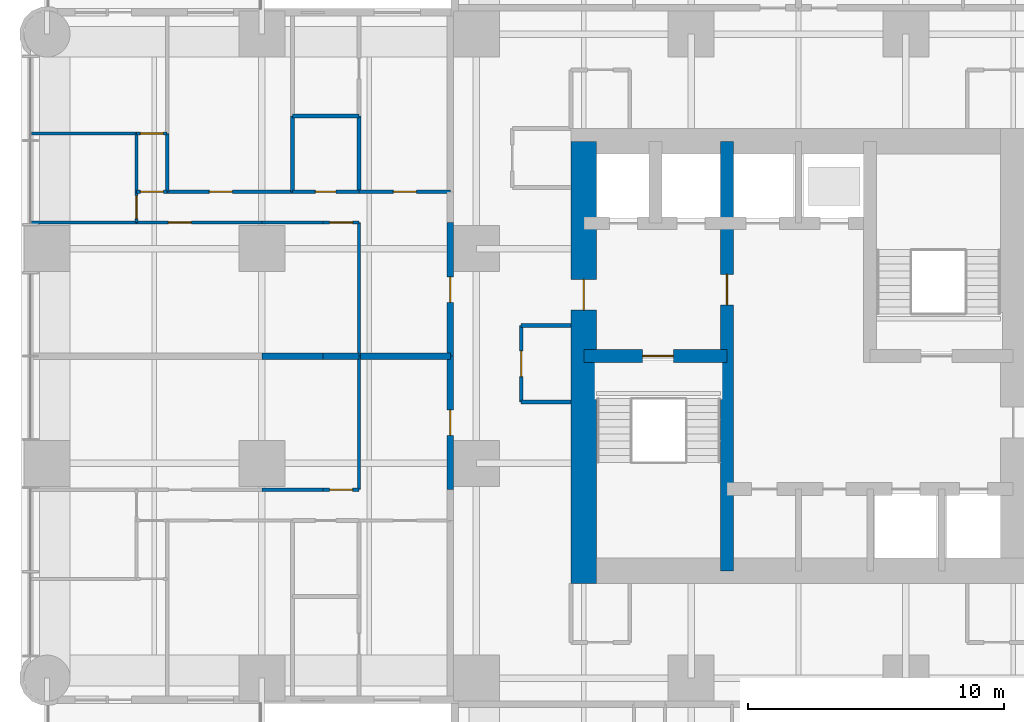
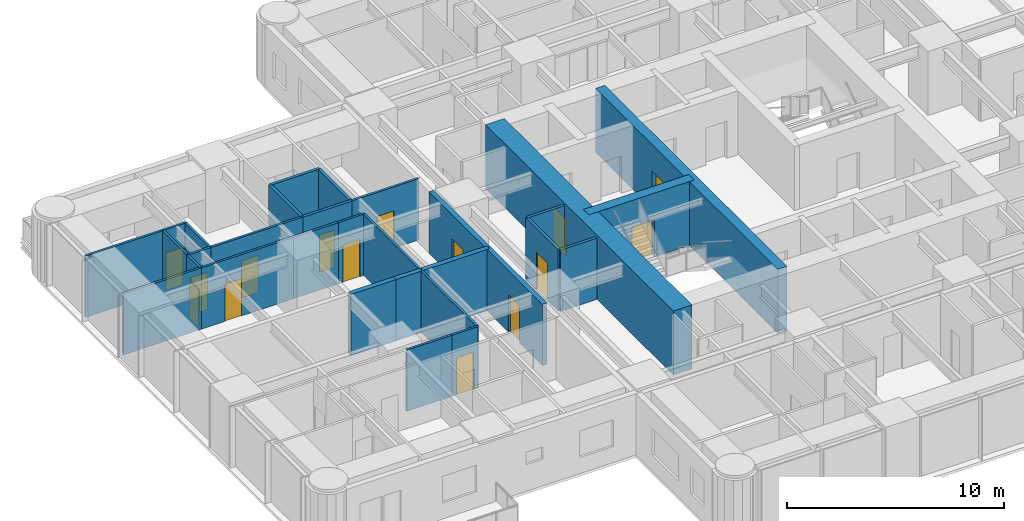
# One storey, part 6 of 12: 31 walls, 15 doors, 15 openings.
"""IFC4 building model written with IfcOpenShell, lengths in metres."""

from ifc_helpers import new_model, si_unit, direction, frame, frame_2d, origin, place, context, subcontext, project, spatial, rectangle, extrude, material, layer, layer_set, type_object, element, fill, save


model = new_model("IFC4")

# Units and contexts
model_context = context("Model", 3, precision=1e-05, world=origin(), true_north=direction((0.0, 1.0)))
body_context = subcontext(model_context, "Body", "Model", "MODEL_VIEW")
ifc_project = project(units=[si_unit("LENGTHUNIT", "METRE"), si_unit("AREAUNIT", "SQUARE_METRE"), si_unit("VOLUMEUNIT", "CUBIC_METRE"), si_unit("PLANEANGLEUNIT", "RADIAN"), si_unit("MASSUNIT", "GRAM", prefix="KILO")], contexts=[model_context])

# Site, building, storey
site_placement = place(None, origin())
site = spatial("IfcSite", under=ifc_project, at=site_placement, CompositionType="ELEMENT")
building_placement = place(site_placement, origin())
building = spatial("IfcBuilding", under=site, at=building_placement, Name="Torre Alcanfor", CompositionType="ELEMENT")
storey_placement = place(building_placement, frame((0.0, 0.0, 183.300048828125)))
storey = spatial("IfcBuildingStorey", under=building, at=storey_placement, Name="L47", CompositionType="ELEMENT", Elevation=183.300048828125)

# Wall, opening, door
ifc_material_1 = material(Name="Concrete block masonry, hollow blocks NMX-C-404 9 MPa", Category="masonry")
ifc_layer_1 = layer(ifc_material_1, 0.25)
ifc_layer_set_1 = layer_set([ifc_layer_1], Name="Apartment entrance wall 250 EI 60")
wall_type_1 = type_object("IfcWallType", Name="Apartment entrance wall 250 EI 60", PredefinedType="PARTITIONING", material=ifc_layer_set_1)
wall_1_placement = place(storey_placement, frame((15.77490234375, 24.1708984375, 0.0), z_axis=(0.0, 0.0, 1.0), x_axis=(0.0, 1.0, 0.0)))
wall_1 = element("IfcWall", 1, at=wall_1_placement, inside=storey, type_object=wall_type_1, Name="Partition L47-CORR / L47-W1-ZAG", PredefinedType="PARTITIONING", context=body_context, shape_type="SweptSolid", body=[
    extrude(rectangle(XDim=5.22900390625, YDim=0.25, at=frame_2d((2.614501953125, 0.0))), origin(), (0.0, 0.0, 1.0), 3.449951171875),
])
opening_1_placement = place(wall_1_placement, frame((2.12890625, 0.0, 0.0)))
opening_1 = element("IfcOpeningElement", 2, at=opening_1_placement, cuts=wall_1, Name="Opening D-A1", PredefinedType="OPENING", context=body_context, shape_type="SweptSolid", body=[
    extrude(rectangle(XDim=1.0, YDim=2.10009765625, at=frame_2d((0.5, 1.050048828125))), frame((0.0, 0.135009765625, 0.0), z_axis=(0.0, -1.0, 0.0), x_axis=(1.0, 0.0, 0.0)), (0.0, 0.0, 1.0), 0.27001953125),
])
ifc_material_2 = material(Name="Galvanised steel sheet ASTM A653", Category="steel")
door_type_1 = type_object("IfcDoorType", Name="Apartment entrance door FD60 1000x2100", OperationType="SINGLE_SWING_LEFT", PredefinedType="DOOR", material=ifc_material_2)
door_1_placement = place(opening_1_placement, origin())
door_1 = element("IfcDoor", 3, at=door_1_placement, inside=storey, type_object=door_type_1, Name="Apartment entrance L47-W1", OperationType="SINGLE_SWING_RIGHT", OverallHeight=2.10009765625, OverallWidth=1.0, PredefinedType="DOOR", context=body_context, shape_type="SweptSolid", body=[
    extrude(rectangle(XDim=1.0, YDim=2.10009765625, at=frame_2d((0.5, 1.050048828125))), frame((0.0, 0.02490234375, 0.0), z_axis=(0.0, -1.0, 0.0), x_axis=(1.0, 0.0, 0.0)), (0.0, 0.0, 1.0), 0.050048828125),
])
fill(opening_1, door_1)

wall_2_placement = place(storey_placement, frame((15.77490234375, 29.39990234375, 0.0), z_axis=(0.0, 0.0, 1.0), x_axis=(0.0, 1.0, 0.0)))
wall_2 = element("IfcWall", 4, at=wall_2_placement, inside=storey, type_object=wall_type_1, Name="Partition L47-CORR / L47-W2-ZAG", PredefinedType="PARTITIONING", context=body_context, shape_type="SweptSolid", body=[
    extrude(rectangle(XDim=5.22900390625, YDim=0.25, at=frame_2d((2.614501953125, 0.0))), origin(), (0.0, 0.0, 1.0), 3.449951171875),
])
opening_2_placement = place(wall_2_placement, frame((2.10009765625, 0.0, 0.0)))
opening_2 = element("IfcOpeningElement", 5, at=opening_2_placement, cuts=wall_2, Name="Opening D-A1", PredefinedType="OPENING", context=body_context, shape_type="SweptSolid", body=[
    extrude(rectangle(XDim=1.0, YDim=2.10009765625, at=frame_2d((0.5, 1.050048828125))), frame((0.0, 0.135009765625, 0.0), z_axis=(0.0, -1.0, 0.0), x_axis=(1.0, 0.0, 0.0)), (0.0, 0.0, 1.0), 0.27001953125),
])
door_2_placement = place(opening_2_placement, origin())
door_2 = element("IfcDoor", 6, at=door_2_placement, inside=storey, type_object=door_type_1, Name="Apartment entrance L47-W2", OperationType="SINGLE_SWING_LEFT", OverallHeight=2.10009765625, OverallWidth=1.0, PredefinedType="DOOR", context=body_context, shape_type="SweptSolid", body=[
    extrude(rectangle(XDim=1.0, YDim=2.10009765625, at=frame_2d((0.5, 1.050048828125))), frame((0.0, 0.02490234375, 0.0), z_axis=(0.0, -1.0, 0.0), x_axis=(1.0, 0.0, 0.0)), (0.0, 0.0, 1.0), 0.050048828125),
])
fill(opening_2, door_2)

# Wall
ifc_material_3 = material(Name="Gypsum board on steel studs", Category="steel")
ifc_layer_2 = layer(ifc_material_3, 0.1201171875)
ifc_layer_set_2 = layer_set([ifc_layer_2], Name="Apartment partition 120")
wall_type_2 = type_object("IfcWallType", Name="Apartment partition 120", PredefinedType="PARTITIONING", material=ifc_layer_set_2)
wall_3_placement = place(storey_placement, frame((12.199951171875, 29.39990234375, 0.0), z_axis=(0.0, 0.0, 1.0), x_axis=(0.0, -1.0, 0.0)))
element("IfcWall", 7, at=wall_3_placement, inside=storey, type_object=wall_type_2, Name="Partition L47-W1-ZAG / L47-W1-LAUND", PredefinedType="PARTITIONING", context=body_context, shape_type="SweptSolid", body=[
    extrude(rectangle(XDim=5.22900390625, YDim=0.1201171875, at=frame_2d((2.614501953125, 0.0))), origin(), (0.0, 0.0, 1.0), 3.449951171875),
])

# Wall, opening, door
wall_4_placement = place(storey_placement, frame((10.800048828125, 24.1708984375, 0.0), z_axis=(0.0, 0.0, 1.0), x_axis=(1.0, 0.0, 0.0)))
wall_4 = element("IfcWall", 8, at=wall_4_placement, inside=storey, type_object=wall_type_2, Name="Partition L47-W1-LAUND / L47-W1-HALL", PredefinedType="PARTITIONING", context=body_context, shape_type="SweptSolid", body=[
    extrude(rectangle(XDim=1.39990234375, YDim=0.1201171875, at=frame_2d((0.699951171875, 0.0))), origin(), (0.0, 0.0, 1.0), 3.449951171875),
])
opening_3_placement = place(wall_4_placement, frame((0.25, 0.0, 0.0)))
opening_3 = element("IfcOpeningElement", 9, at=opening_3_placement, cuts=wall_4, Name="Opening D-R1", PredefinedType="OPENING", context=body_context, shape_type="SweptSolid", body=[
    extrude(rectangle(XDim=0.89990234375, YDim=2.10009765625, at=frame_2d((0.449951171875, 1.050048828125))), frame((0.0, 0.070068359375, 0.0), z_axis=(0.0, -1.0, 0.0), x_axis=(1.0, 0.0, 0.0)), (0.0, 0.0, 1.0), 0.14013671875),
])
ifc_material_4 = material(Name="Timber", Category="wood")
door_type_2 = type_object("IfcDoorType", Name="Internal door 900x2100", OperationType="SINGLE_SWING_LEFT", PredefinedType="DOOR", material=ifc_material_4)
door_3_placement = place(opening_3_placement, origin())
door_3 = element("IfcDoor", 10, at=door_3_placement, inside=storey, type_object=door_type_2, Name="Door L47-W1 laund", OperationType="SINGLE_SWING_LEFT", OverallHeight=2.10009765625, OverallWidth=0.89990234375, PredefinedType="DOOR", context=body_context, shape_type="SweptSolid", body=[
    extrude(rectangle(XDim=0.89990234375, YDim=2.10009765625, at=frame_2d((0.449951171875, 1.050048828125))), frame((0.0, 0.02490234375, 0.0), z_axis=(0.0, -1.0, 0.0), x_axis=(1.0, 0.0, 0.0)), (0.0, 0.0, 1.0), 0.050048828125),
])
fill(opening_3, door_3)

# Walls
wall_5_placement = place(storey_placement, frame((8.39990234375, 24.1708984375, 0.0), z_axis=(0.0, 0.0, 1.0), x_axis=(1.0, 0.0, 0.0)))
element("IfcWall", 11, at=wall_5_placement, inside=storey, type_object=wall_type_2, Name="Partition L47-W1-KITCHEN / L47-W1-HALL", PredefinedType="PARTITIONING", context=body_context, shape_type="SweptSolid", body=[
    extrude(rectangle(XDim=2.400146484375, YDim=0.1201171875, at=frame_2d((1.2001953125, 0.0))), origin(), (0.0, 0.0, 1.0), 3.449951171875),
])
wall_6_placement = place(storey_placement, frame((12.199951171875, 29.39990234375, 0.0), z_axis=(0.0, 0.0, 1.0), x_axis=(0.0, 1.0, 0.0)))
element("IfcWall", 12, at=wall_6_placement, inside=storey, type_object=wall_type_2, Name="Partition L47-W2-ZAG / L47-W2-LAUND", PredefinedType="PARTITIONING", context=body_context, shape_type="SweptSolid", body=[
    extrude(rectangle(XDim=5.22900390625, YDim=0.1201171875, at=frame_2d((2.614501953125, 0.0))), origin(), (0.0, 0.0, 1.0), 3.449951171875),
])

# Wall, opening, door
wall_7_placement = place(storey_placement, frame((10.800048828125, 34.62890625, 0.0), z_axis=(0.0, 0.0, 1.0), x_axis=(1.0, 0.0, 0.0)))
wall_7 = element("IfcWall", 13, at=wall_7_placement, inside=storey, type_object=wall_type_2, Name="Partition L47-W2-LAUND / L47-W2-HALL", PredefinedType="PARTITIONING", context=body_context, shape_type="SweptSolid", body=[
    extrude(rectangle(XDim=1.39990234375, YDim=0.1201171875, at=frame_2d((0.699951171875, 0.0))), origin(), (0.0, 0.0, 1.0), 3.449951171875),
])
opening_4_placement = place(wall_7_placement, frame((0.25, 0.0, 0.0)))
opening_4 = element("IfcOpeningElement", 14, at=opening_4_placement, cuts=wall_7, Name="Opening D-R1", PredefinedType="OPENING", context=body_context, shape_type="SweptSolid", body=[
    extrude(rectangle(XDim=0.89990234375, YDim=2.10009765625, at=frame_2d((0.449951171875, 1.050048828125))), frame((0.0, 0.070068359375, 0.0), z_axis=(0.0, -1.0, 0.0), x_axis=(1.0, 0.0, 0.0)), (0.0, 0.0, 1.0), 0.14013671875),
])
door_4_placement = place(opening_4_placement, frame((0.89990234375, 0.0, 0.0), z_axis=(0.0, 0.0, 1.0), x_axis=(-1.0, 0.0, 0.0)))
door_4 = element("IfcDoor", 15, at=door_4_placement, inside=storey, type_object=door_type_2, Name="Door L47-W2 laund", OperationType="SINGLE_SWING_RIGHT", OverallHeight=2.10009765625, OverallWidth=0.89990234375, PredefinedType="DOOR", context=body_context, shape_type="SweptSolid", body=[
    extrude(rectangle(XDim=0.89990234375, YDim=2.10009765625, at=frame_2d((0.449951171875, 1.050048828125))), frame((0.0, 0.025146484375, 0.0), z_axis=(0.0, -1.0, 0.0), x_axis=(1.0, 0.0, 0.0)), (0.0, 0.0, 1.0), 0.050048828125),
])
fill(opening_4, door_4)

# Wall
wall_8_placement = place(storey_placement, frame((8.39990234375, 34.62890625, 0.0), z_axis=(0.0, 0.0, 1.0), x_axis=(1.0, 0.0, 0.0)))
element("IfcWall", 16, at=wall_8_placement, inside=storey, type_object=wall_type_2, Name="Partition L47-W2-KITCHEN / L47-W2-HALL", PredefinedType="PARTITIONING", context=body_context, shape_type="SweptSolid", body=[
    extrude(rectangle(XDim=2.400146484375, YDim=0.1201171875, at=frame_2d((1.2001953125, 0.0))), origin(), (0.0, 0.0, 1.0), 3.449951171875),
])

# Wall, opening, door
wall_9_placement = place(storey_placement, frame((3.5, 34.62890625, 0.0), z_axis=(0.0, 0.0, 1.0), x_axis=(1.0, 0.0, 0.0)))
wall_9 = element("IfcWall", 17, at=wall_9_placement, inside=storey, type_object=wall_type_2, Name="Partition L47-W2-LIVING / L47-W2-HALL", PredefinedType="PARTITIONING", context=body_context, shape_type="SweptSolid", body=[
    extrude(rectangle(XDim=4.89990234375, YDim=0.1201171875, at=frame_2d((2.449951171875, 0.0))), origin(), (0.0, 0.0, 1.0), 3.449951171875),
])
opening_5_placement = place(wall_9_placement, frame((1.25, 0.0, 0.0)))
opening_5 = element("IfcOpeningElement", 18, at=opening_5_placement, cuts=wall_9, Name="Opening D-R1", PredefinedType="OPENING", context=body_context, shape_type="SweptSolid", body=[
    extrude(rectangle(XDim=0.89990234375, YDim=2.10009765625, at=frame_2d((0.449951171875, 1.050048828125))), frame((0.0, 0.070068359375, 0.0), z_axis=(0.0, -1.0, 0.0), x_axis=(1.0, 0.0, 0.0)), (0.0, 0.0, 1.0), 0.14013671875),
])
door_5_placement = place(opening_5_placement, frame((0.89990234375, 0.0, 0.0), z_axis=(0.0, 0.0, 1.0), x_axis=(-1.0, 0.0, 0.0)))
door_5 = element("IfcDoor", 19, at=door_5_placement, inside=storey, type_object=door_type_2, Name="Door L47-W2 living", OperationType="SINGLE_SWING_LEFT", OverallHeight=2.10009765625, OverallWidth=0.89990234375, PredefinedType="DOOR", context=body_context, shape_type="SweptSolid", body=[
    extrude(rectangle(XDim=0.89990234375, YDim=2.10009765625, at=frame_2d((0.449951171875, 1.050048828125))), frame((0.0, 0.025146484375, 0.0), z_axis=(0.0, -1.0, 0.0), x_axis=(1.0, 0.0, 0.0)), (0.0, 0.0, 1.0), 0.050048828125),
])
fill(opening_5, door_5)

# Wall
wall_10_placement = place(storey_placement, frame((-0.64990234375, 34.62890625, 0.0), z_axis=(0.0, 0.0, 1.0), x_axis=(1.0, 0.0, 0.0)))
element("IfcWall", 20, at=wall_10_placement, inside=storey, type_object=wall_type_2, Name="Partition L47-W2-LIVING / L47-W2-BED2", PredefinedType="PARTITIONING", context=body_context, shape_type="SweptSolid", body=[
    extrude(rectangle(XDim=4.14990234375, YDim=0.1201171875, at=frame_2d((2.074951171875, 0.0))), origin(), (0.0, 0.0, 1.0), 3.449951171875),
])

# Wall, opening, door
wall_11_placement = place(storey_placement, frame((12.199951171875, 35.8291015625, 0.0), z_axis=(0.0, 0.0, 1.0), x_axis=(1.0, 0.0, 0.0)))
wall_11 = element("IfcWall", 21, at=wall_11_placement, inside=storey, type_object=wall_type_2, Name="Partition L47-W2-HALL / L47-W2-SERV", PredefinedType="PARTITIONING", context=body_context, shape_type="SweptSolid", body=[
    extrude(rectangle(XDim=3.574951171875, YDim=0.1201171875, at=frame_2d((1.78759765625, 0.0))), origin(), (0.0, 0.0, 1.0), 3.449951171875),
])
opening_6_placement = place(wall_11_placement, frame((1.35009765625, 0.0, 0.0)))
opening_6 = element("IfcOpeningElement", 22, at=opening_6_placement, cuts=wall_11, Name="Opening D-R1", PredefinedType="OPENING", context=body_context, shape_type="SweptSolid", body=[
    extrude(rectangle(XDim=0.89990234375, YDim=2.10009765625, at=frame_2d((0.449951171875, 1.050048828125))), frame((0.0, 0.070068359375, 0.0), z_axis=(0.0, -1.0, 0.0), x_axis=(1.0, 0.0, 0.0)), (0.0, 0.0, 1.0), 0.14013671875),
])
door_6_placement = place(opening_6_placement, origin())
door_6 = element("IfcDoor", 23, at=door_6_placement, inside=storey, type_object=door_type_2, Name="Door L47-W2 serv", OperationType="SINGLE_SWING_RIGHT", OverallHeight=2.10009765625, OverallWidth=0.89990234375, PredefinedType="DOOR", context=body_context, shape_type="SweptSolid", body=[
    extrude(rectangle(XDim=0.89990234375, YDim=2.10009765625, at=frame_2d((0.449951171875, 1.050048828125))), frame((0.0, 0.02490234375, 0.0), z_axis=(0.0, -1.0, 0.0), x_axis=(1.0, 0.0, 0.0)), (0.0, 0.0, 1.0), 0.050048828125),
])
fill(opening_6, door_6)

wall_12_placement = place(storey_placement, frame((4.699951171875, 35.8291015625, 0.0), z_axis=(0.0, 0.0, 1.0), x_axis=(1.0, 0.0, 0.0)))
wall_12 = element("IfcWall", 24, at=wall_12_placement, inside=storey, type_object=wall_type_2, Name="Partition L47-W2-HALL / L47-W2-BED3", PredefinedType="PARTITIONING", context=body_context, shape_type="SweptSolid", body=[
    extrude(rectangle(XDim=4.900146484375, YDim=0.1201171875, at=frame_2d((2.4501953125, 0.0))), origin(), (0.0, 0.0, 1.0), 3.449951171875),
])
opening_7_placement = place(wall_12_placement, frame((1.64990234375, 0.0, 0.0)))
opening_7 = element("IfcOpeningElement", 25, at=opening_7_placement, cuts=wall_12, Name="Opening D-R1", PredefinedType="OPENING", context=body_context, shape_type="SweptSolid", body=[
    extrude(rectangle(XDim=0.89990234375, YDim=2.10009765625, at=frame_2d((0.449951171875, 1.050048828125))), frame((0.0, 0.070068359375, 0.0), z_axis=(0.0, -1.0, 0.0), x_axis=(1.0, 0.0, 0.0)), (0.0, 0.0, 1.0), 0.14013671875),
])
door_7_placement = place(opening_7_placement, origin())
door_7 = element("IfcDoor", 26, at=door_7_placement, inside=storey, type_object=door_type_2, Name="Door L47-W2 bed3", OperationType="SINGLE_SWING_LEFT", OverallHeight=2.10009765625, OverallWidth=0.89990234375, PredefinedType="DOOR", context=body_context, shape_type="SweptSolid", body=[
    extrude(rectangle(XDim=0.89990234375, YDim=2.10009765625, at=frame_2d((0.449951171875, 1.050048828125))), frame((0.0, 0.02490234375, 0.0), z_axis=(0.0, -1.0, 0.0), x_axis=(1.0, 0.0, 0.0)), (0.0, 0.0, 1.0), 0.050048828125),
])
fill(opening_7, door_7)

wall_13_placement = place(storey_placement, frame((3.5, 35.8291015625, 0.0), z_axis=(0.0, 0.0, 1.0), x_axis=(1.0, 0.0, 0.0)))
wall_13 = element("IfcWall", 27, at=wall_13_placement, inside=storey, type_object=wall_type_2, Name="Partition L47-W2-HALL / L47-W2-VEST", PredefinedType="PARTITIONING", context=body_context, shape_type="SweptSolid", body=[
    extrude(rectangle(XDim=1.199951171875, YDim=0.1201171875, at=frame_2d((0.60009765625, 0.0))), origin(), (0.0, 0.0, 1.0), 3.449951171875),
])
opening_8_placement = place(wall_13_placement, frame((0.14990234375, 0.0, 0.0)))
opening_8 = element("IfcOpeningElement", 28, at=opening_8_placement, cuts=wall_13, Name="Opening D-R1", PredefinedType="OPENING", context=body_context, shape_type="SweptSolid", body=[
    extrude(rectangle(XDim=0.89990234375, YDim=2.10009765625, at=frame_2d((0.449951171875, 1.050048828125))), frame((0.0, 0.070068359375, 0.0), z_axis=(0.0, -1.0, 0.0), x_axis=(1.0, 0.0, 0.0)), (0.0, 0.0, 1.0), 0.14013671875),
])
door_8_placement = place(opening_8_placement, origin())
door_8 = element("IfcDoor", 29, at=door_8_placement, inside=storey, type_object=door_type_2, Name="Door L47-W2 vest", OperationType="SINGLE_SWING_LEFT", OverallHeight=2.10009765625, OverallWidth=0.89990234375, PredefinedType="DOOR", context=body_context, shape_type="SweptSolid", body=[
    extrude(rectangle(XDim=0.89990234375, YDim=2.10009765625, at=frame_2d((0.449951171875, 1.050048828125))), frame((0.0, 0.02490234375, 0.0), z_axis=(0.0, -1.0, 0.0), x_axis=(1.0, 0.0, 0.0)), (0.0, 0.0, 1.0), 0.050048828125),
])
fill(opening_8, door_8)

wall_14_placement = place(storey_placement, frame((3.5, 34.62890625, 0.0), z_axis=(0.0, 0.0, 1.0), x_axis=(0.0, 1.0, 0.0)))
wall_14 = element("IfcWall", 30, at=wall_14_placement, inside=storey, type_object=wall_type_2, Name="Partition L47-W2-HALL / L47-W2-BED2", PredefinedType="PARTITIONING", context=body_context, shape_type="SweptSolid", body=[
    extrude(rectangle(XDim=1.2001953125, YDim=0.1201171875, at=frame_2d((0.60009765625, 0.0))), origin(), (0.0, 0.0, 1.0), 3.449951171875),
])
opening_9_placement = place(wall_14_placement, frame((0.15087890625, 0.0, 0.0)))
opening_9 = element("IfcOpeningElement", 31, at=opening_9_placement, cuts=wall_14, Name="Opening D-R1", PredefinedType="OPENING", context=body_context, shape_type="SweptSolid", body=[
    extrude(rectangle(XDim=0.89990234375, YDim=2.10009765625, at=frame_2d((0.449951171875, 1.050048828125))), frame((0.0, 0.070068359375, 0.0), z_axis=(0.0, -1.0, 0.0), x_axis=(1.0, 0.0, 0.0)), (0.0, 0.0, 1.0), 0.14013671875),
])
door_9_placement = place(opening_9_placement, origin())
door_9 = element("IfcDoor", 32, at=door_9_placement, inside=storey, type_object=door_type_2, Name="Door L47-W2 bed2", OperationType="SINGLE_SWING_LEFT", OverallHeight=2.10009765625, OverallWidth=0.89990234375, PredefinedType="DOOR", context=body_context, shape_type="SweptSolid", body=[
    extrude(rectangle(XDim=0.89990234375, YDim=2.10009765625, at=frame_2d((0.449951171875, 1.050048828125))), frame((0.0, 0.02490234375, 0.0), z_axis=(0.0, -1.0, 0.0), x_axis=(1.0, 0.0, 0.0)), (0.0, 0.0, 1.0), 0.050048828125),
])
fill(opening_9, door_9)

# Walls
for number, where, z_axis, x_axis, name in (
    (33, (4.699951171875, 35.8291015625, 0.0), (0.0, 0.0, 1.0), (0.0, 1.0, 0.0), "Partition L47-W2-BED3 / L47-W2-VEST"),
    (34, (3.5, 35.8291015625, 0.0), (0.0, 0.0, 1.0), (0.0, 1.0, 0.0), "Partition L47-W2-VEST / L47-W2-BED2"),
):
    element("IfcWall", number, at=place(storey_placement, frame(where, z_axis=z_axis, x_axis=x_axis)), inside=storey, type_object=wall_type_2, Name=name, PredefinedType="PARTITIONING", context=body_context, shape_type="SweptSolid", body=[
        extrude(rectangle(XDim=2.284912109375, YDim=0.1201171875, at=frame_2d((1.142578125, 0.0))), origin(), (0.0, 0.0, 1.0), 3.449951171875),
    ])

# Wall, opening, door
wall_15_placement = place(storey_placement, frame((3.5, 38.114013671875, 0.0), z_axis=(0.0, 0.0, 1.0), x_axis=(1.0, 0.0, 0.0)))
wall_15 = element("IfcWall", 35, at=wall_15_placement, inside=storey, type_object=wall_type_2, Name="Partition L47-W2-VEST / L47-W2-MASTER", PredefinedType="PARTITIONING", context=body_context, shape_type="SweptSolid", body=[
    extrude(rectangle(XDim=1.199951171875, YDim=0.1201171875, at=frame_2d((0.60009765625, 0.0))), origin(), (0.0, 0.0, 1.0), 3.449951171875),
])
opening_10_placement = place(wall_15_placement, frame((0.14990234375, 0.0, 0.0)))
opening_10 = element("IfcOpeningElement", 36, at=opening_10_placement, cuts=wall_15, Name="Opening D-R1", PredefinedType="OPENING", context=body_context, shape_type="SweptSolid", body=[
    extrude(rectangle(XDim=0.89990234375, YDim=2.10009765625, at=frame_2d((0.449951171875, 1.050048828125))), frame((0.0, 0.070068359375, 0.0), z_axis=(0.0, -1.0, 0.0), x_axis=(1.0, 0.0, 0.0)), (0.0, 0.0, 1.0), 0.14013671875),
])
door_10_placement = place(opening_10_placement, frame((0.89990234375, 0.0, 0.0), z_axis=(0.0, 0.0, 1.0), x_axis=(-1.0, 0.0, 0.0)))
door_10 = element("IfcDoor", 37, at=door_10_placement, inside=storey, type_object=door_type_2, Name="Door L47-W2 master", OperationType="SINGLE_SWING_RIGHT", OverallHeight=2.10009765625, OverallWidth=0.89990234375, PredefinedType="DOOR", context=body_context, shape_type="SweptSolid", body=[
    extrude(rectangle(XDim=0.89990234375, YDim=2.10009765625, at=frame_2d((0.449951171875, 1.050048828125))), frame((0.0, 0.025146484375, 0.0), z_axis=(0.0, -1.0, 0.0), x_axis=(1.0, 0.0, 0.0)), (0.0, 0.0, 1.0), 0.050048828125),
])
fill(opening_10, door_10)

# Wall
wall_16_placement = place(storey_placement, frame((-0.64990234375, 38.114013671875, 0.0), z_axis=(0.0, 0.0, 1.0), x_axis=(1.0, 0.0, 0.0)))
element("IfcWall", 38, at=wall_16_placement, inside=storey, type_object=wall_type_2, Name="Partition L47-W2-BED2 / L47-W2-MASTER", PredefinedType="PARTITIONING", context=body_context, shape_type="SweptSolid", body=[
    extrude(rectangle(XDim=4.14990234375, YDim=0.1201171875, at=frame_2d((2.074951171875, 0.0))), origin(), (0.0, 0.0, 1.0), 3.449951171875),
])

# Wall, opening, door
ifc_material_5 = material(Name="Concrete f'c 70 MPa", Category="concrete")
ifc_layer_3 = layer(ifc_material_5, 0.5)
ifc_layer_set_3 = layer_set([ifc_layer_3], Name="Core inner wall 500 f'c70")
wall_type_3 = type_object("IfcWallType", Name="Core inner wall 500 f'c70", PredefinedType="SHEAR", material=ifc_layer_set_3)
wall_17_placement = place(storey_placement, frame((26.60009765625, 21.0, 0.0), z_axis=(0.0, 0.0, 1.0), x_axis=(0.0, 1.0, 0.0)))
wall_17 = element("IfcWall", 39, at=wall_17_placement, inside=storey, type_object=wall_type_3, Name="Core wall X266 L47", PredefinedType="SHEAR", context=body_context, shape_type="SweptSolid", body=[
    extrude(rectangle(XDim=16.800048828125, YDim=0.5, at=frame_2d((8.39990234375, 0.0))), origin(), (0.0, 0.0, 1.0), 3.599853515625),
])
opening_11_placement = place(wall_17_placement, frame((10.39990234375, 0.0, 0.0)))
opening_11 = element("IfcOpeningElement", 40, at=opening_11_placement, cuts=wall_17, Name="Opening D-L1", PredefinedType="OPENING", context=body_context, shape_type="SweptSolid", body=[
    extrude(rectangle(XDim=1.199951171875, YDim=2.10009765625, at=frame_2d((0.60009765625, 1.050048828125))), frame((0.0, 0.260009765625, 0.0), z_axis=(0.0, -1.0, 0.0), x_axis=(1.0, 0.0, 0.0)), (0.0, 0.0, 1.0), 0.52001953125),
])
ifc_material_6 = material(Name="Galvanised steel sheet ASTM A653", Category="steel")
door_type_3 = type_object("IfcDoorType", Name="Lobby door FD120 1200x2100", OperationType="SINGLE_SWING_LEFT", PredefinedType="DOOR", material=ifc_material_6)
door_11_placement = place(opening_11_placement, origin())
door_11 = element("IfcDoor", 41, at=door_11_placement, inside=storey, type_object=door_type_3, Name="Lift lobby door L47", OperationType="SINGLE_SWING_LEFT", OverallHeight=2.10009765625, OverallWidth=1.199951171875, PredefinedType="DOOR", context=body_context, shape_type="SweptSolid", body=[
    extrude(rectangle(XDim=1.199951171875, YDim=2.10009765625, at=frame_2d((0.60009765625, 1.050048828125))), frame((0.0, 0.02490234375, 0.0), z_axis=(0.0, -1.0, 0.0), x_axis=(1.0, 0.0, 0.0)), (0.0, 0.0, 1.0), 0.050048828125),
])
fill(opening_11, door_11)

wall_18_placement = place(storey_placement, frame((21.0, 29.39990234375, 0.0), z_axis=(0.0, 0.0, 1.0), x_axis=(1.0, 0.0, 0.0)))
wall_18 = element("IfcWall", 42, at=wall_18_placement, inside=storey, type_object=wall_type_3, Name="Core wall Y294W L47", PredefinedType="SHEAR", context=body_context, shape_type="SweptSolid", body=[
    extrude(rectangle(XDim=5.60009765625, YDim=0.5, at=frame_2d((2.800048828125, 0.0))), origin(), (0.0, 0.0, 1.0), 3.599853515625),
])
opening_12_placement = place(wall_18_placement, frame((2.300048828125, 0.0, 0.0)))
opening_12 = element("IfcOpeningElement", 43, at=opening_12_placement, cuts=wall_18, Name="Opening D-S2", PredefinedType="OPENING", context=body_context, shape_type="SweptSolid", body=[
    extrude(rectangle(XDim=1.199951171875, YDim=2.10009765625, at=frame_2d((0.60009765625, 1.050048828125))), frame((0.0, 0.260009765625, 0.0), z_axis=(0.0, -1.0, 0.0), x_axis=(1.0, 0.0, 0.0)), (0.0, 0.0, 1.0), 0.52001953125),
])
ifc_material_7 = material(Name="Galvanised steel sheet ASTM A653", Category="steel")
door_type_4 = type_object("IfcDoorType", Name="Stair enclosure door FD120 1200x2100", OperationType="SINGLE_SWING_LEFT", PredefinedType="DOOR", material=ifc_material_7)
door_12_placement = place(opening_12_placement, frame((1.199951171875, 0.0, 0.0), z_axis=(0.0, 0.0, 1.0), x_axis=(-1.0, 0.0, 0.0)))
door_12 = element("IfcDoor", 44, at=door_12_placement, inside=storey, type_object=door_type_4, Name="Stair S1 door L47", OperationType="SINGLE_SWING_LEFT", OverallHeight=2.10009765625, OverallWidth=1.199951171875, PredefinedType="DOOR", context=body_context, shape_type="SweptSolid", body=[
    extrude(rectangle(XDim=1.199951171875, YDim=2.10009765625, at=frame_2d((0.599853515625, 1.050048828125))), frame((0.0, 0.025146484375, 0.0), z_axis=(0.0, -1.0, 0.0), x_axis=(1.0, 0.0, 0.0)), (0.0, 0.0, 1.0), 0.050048828125),
])
fill(opening_12, door_12)

ifc_material_8 = material(Name="Concrete f'c 70 MPa", Category="concrete")
ifc_layer_4 = layer(ifc_material_8, 1.0)
ifc_layer_set_4 = layer_set([ifc_layer_4], Name="Core wall 1000 f'c70")
wall_type_4 = type_object("IfcWallType", Name="Core wall 1000 f'c70", PredefinedType="SHEAR", material=ifc_layer_set_4)
wall_19_placement = place(storey_placement, frame((21.0, 37.800048828125, 0.0), z_axis=(0.0, 0.0, 1.0), x_axis=(0.0, -1.0, 0.0)))
wall_19 = element("IfcWall", 45, at=wall_19_placement, inside=storey, type_object=wall_type_4, Name="Core wall OUT-W L47", PredefinedType="SHEAR", context=body_context, shape_type="SweptSolid", body=[
    extrude(rectangle(XDim=17.300048828125, YDim=1.0, at=frame_2d((8.64990234375, 0.0))), origin(), (0.0, 0.0, 1.0), 3.599853515625),
])
opening_13_placement = place(wall_19_placement, frame((5.39990234375, 0.0, 0.0)))
opening_13 = element("IfcOpeningElement", 46, at=opening_13_placement, cuts=wall_19, Name="Opening D-L1", PredefinedType="OPENING", context=body_context, shape_type="SweptSolid", body=[
    extrude(rectangle(XDim=1.199951171875, YDim=2.10009765625, at=frame_2d((0.60009765625, 1.050048828125))), frame((0.0, 0.510009765625, 0.0), z_axis=(0.0, -1.0, 0.0), x_axis=(1.0, 0.0, 0.0)), (0.0, 0.0, 1.0), 1.02001953125),
])
door_13_placement = place(opening_13_placement, origin())
door_13 = element("IfcDoor", 47, at=door_13_placement, inside=storey, type_object=door_type_3, Name="Firefighting lobby door L47", OperationType="SINGLE_SWING_LEFT", OverallHeight=2.10009765625, OverallWidth=1.199951171875, PredefinedType="DOOR", context=body_context, shape_type="SweptSolid", body=[
    extrude(rectangle(XDim=1.199951171875, YDim=2.10009765625, at=frame_2d((0.60009765625, 1.050048828125))), frame((0.0, 0.02490234375, 0.0), z_axis=(0.0, -1.0, 0.0), x_axis=(1.0, 0.0, 0.0)), (0.0, 0.0, 1.0), 0.050048828125),
])
fill(opening_13, door_13)

# Walls
ifc_material_9 = material(Name="Concrete block masonry, hollow blocks NMX-C-404 9 MPa", Category="masonry")
ifc_layer_5 = layer(ifc_material_9, 0.25)
ifc_layer_set_5 = layer_set([ifc_layer_5], Name="Party wall 250 EI 60")
wall_type_5 = type_object("IfcWallType", Name="Party wall 250 EI 60", PredefinedType="PARTITIONING", material=ifc_layer_set_5)
wall_20_placement = place(storey_placement, frame((15.77490234375, 29.39990234375, 0.0), z_axis=(0.0, 0.0, 1.0), x_axis=(-1.0, 0.0, 0.0)))
element("IfcWall", 48, at=wall_20_placement, inside=storey, type_object=wall_type_5, Name="Partition L47-W1-ZAG / L47-W2-ZAG", PredefinedType="PARTITIONING", context=body_context, shape_type="SweptSolid", body=[
    extrude(rectangle(XDim=3.574951171875, YDim=0.25, at=frame_2d((1.78759765625, 0.0))), origin(), (0.0, 0.0, 1.0), 3.449951171875),
])
wall_21_placement = place(storey_placement, frame((12.199951171875, 29.39990234375, 0.0), z_axis=(0.0, 0.0, 1.0), x_axis=(-1.0, 0.0, 0.0)))
element("IfcWall", 49, at=wall_21_placement, inside=storey, type_object=wall_type_5, Name="Partition L47-W1-LAUND / L47-W2-LAUND", PredefinedType="PARTITIONING", context=body_context, shape_type="SweptSolid", body=[
    extrude(rectangle(XDim=1.39990234375, YDim=0.25, at=frame_2d((0.699951171875, 0.0))), origin(), (0.0, 0.0, 1.0), 3.449951171875),
])
wall_22_placement = place(storey_placement, frame((10.800048828125, 29.39990234375, 0.0), z_axis=(0.0, 0.0, 1.0), x_axis=(-1.0, 0.0, 0.0)))
element("IfcWall", 50, at=wall_22_placement, inside=storey, type_object=wall_type_5, Name="Partition L47-W1-KITCHEN / L47-W2-KITCHEN", PredefinedType="PARTITIONING", context=body_context, shape_type="SweptSolid", body=[
    extrude(rectangle(XDim=2.400146484375, YDim=0.25, at=frame_2d((1.2001953125, 0.0))), origin(), (0.0, 0.0, 1.0), 3.449951171875),
])
ifc_material_10 = material(Name="Concrete block masonry, hollow blocks NMX-C-404 9 MPa", Category="masonry")
ifc_layer_6 = layer(ifc_material_10, 0.14990234375)
ifc_layer_set_6 = layer_set([ifc_layer_6], Name="Residents' room partition 150")
wall_type_6 = type_object("IfcWallType", Name="Residents' room partition 150", PredefinedType="PARTITIONING", material=ifc_layer_set_6)
wall_23_placement = place(storey_placement, frame((20.5, 30.60009765625, 0.0), z_axis=(0.0, 0.0, 1.0), x_axis=(-1.0, 0.0, 0.0)))
element("IfcWall", 51, at=wall_23_placement, inside=storey, type_object=wall_type_6, Name="Partition L47-CORR / L47-G07", PredefinedType="PARTITIONING", context=body_context, shape_type="SweptSolid", body=[
    extrude(rectangle(XDim=1.949951171875, YDim=0.14990234375, at=frame_2d((0.97509765625, 0.0))), origin(), (0.0, 0.0, 1.0), 3.449951171875),
])

# Wall, opening, door
wall_24_placement = place(storey_placement, frame((18.550048828125, 30.60009765625, 0.0), z_axis=(0.0, 0.0, 1.0), x_axis=(0.0, -1.0, 0.0)))
wall_24 = element("IfcWall", 52, at=wall_24_placement, inside=storey, type_object=wall_type_6, Name="Partition L47-CORR / L47-G07", PredefinedType="PARTITIONING", context=body_context, shape_type="SweptSolid", body=[
    extrude(rectangle(XDim=3.0, YDim=0.14990234375, at=frame_2d((1.5, 0.0))), origin(), (0.0, 0.0, 1.0), 3.449951171875),
])
opening_14_placement = place(wall_24_placement, frame((1.0, 0.0, 0.0)))
opening_14 = element("IfcOpeningElement", 53, at=opening_14_placement, cuts=wall_24, Name="Opening D-M1", PredefinedType="OPENING", context=body_context, shape_type="SweptSolid", body=[
    extrude(rectangle(XDim=1.0, YDim=2.10009765625, at=frame_2d((0.5, 1.050048828125))), frame((0.0, 0.0849609375, 0.0), z_axis=(0.0, -1.0, 0.0), x_axis=(1.0, 0.0, 0.0)), (0.0, 0.0, 1.0), 0.169921875),
])
ifc_material_11 = material(Name="Timber", Category="wood")
door_type_5 = type_object("IfcDoorType", Name="Residents' room door 1000x2100", OperationType="SINGLE_SWING_LEFT", PredefinedType="DOOR", material=ifc_material_11)
door_14_placement = place(opening_14_placement, origin())
door_14 = element("IfcDoor", 54, at=door_14_placement, inside=storey, type_object=door_type_5, Name="Door L47-G07 parcel room", OperationType="SINGLE_SWING_LEFT", OverallHeight=2.10009765625, OverallWidth=1.0, PredefinedType="DOOR", context=body_context, shape_type="SweptSolid", body=[
    extrude(rectangle(XDim=1.0, YDim=2.10009765625, at=frame_2d((0.5, 1.050048828125))), frame((0.0, 0.02490234375, 0.0), z_axis=(0.0, -1.0, 0.0), x_axis=(1.0, 0.0, 0.0)), (0.0, 0.0, 1.0), 0.050048828125),
])
fill(opening_14, door_14)

# Wall
wall_25_placement = place(storey_placement, frame((18.550048828125, 27.60009765625, 0.0), z_axis=(0.0, 0.0, 1.0), x_axis=(1.0, 0.0, 0.0)))
element("IfcWall", 55, at=wall_25_placement, inside=storey, type_object=wall_type_6, Name="Partition L47-CORR / L47-G07", PredefinedType="PARTITIONING", context=body_context, shape_type="SweptSolid", body=[
    extrude(rectangle(XDim=1.949951171875, YDim=0.14990234375, at=frame_2d((0.97509765625, 0.0))), origin(), (0.0, 0.0, 1.0), 3.449951171875),
])

# Wall, opening, door
ifc_material_12 = material(Name="Cement board on steel studs", Category="steel")
ifc_layer_7 = layer(ifc_material_12, 0.14990234375)
ifc_layer_set_7 = layer_set([ifc_layer_7], Name="Wet area partition 150")
wall_type_7 = type_object("IfcWallType", Name="Wet area partition 150", PredefinedType="PARTITIONING", material=ifc_layer_set_7)
wall_26_placement = place(storey_placement, frame((9.60009765625, 35.8291015625, 0.0), z_axis=(0.0, 0.0, 1.0), x_axis=(1.0, 0.0, 0.0)))
wall_26 = element("IfcWall", 56, at=wall_26_placement, inside=storey, type_object=wall_type_7, Name="Partition L47-W2-HALL / L47-W2-BATH1", PredefinedType="PARTITIONING", context=body_context, shape_type="SweptSolid", body=[
    extrude(rectangle(XDim=2.599853515625, YDim=0.14990234375, at=frame_2d((1.2998046875, 0.0))), origin(), (0.0, 0.0, 1.0), 3.449951171875),
])
opening_15_placement = place(wall_26_placement, frame((0.89990234375, 0.0, 0.0)))
opening_15 = element("IfcOpeningElement", 57, at=opening_15_placement, cuts=wall_26, Name="Opening D-R2", PredefinedType="OPENING", context=body_context, shape_type="SweptSolid", body=[
    extrude(rectangle(XDim=0.800048828125, YDim=2.10009765625, at=frame_2d((0.39990234375, 1.050048828125))), frame((0.0, 0.0849609375, 0.0), z_axis=(0.0, -1.0, 0.0), x_axis=(1.0, 0.0, 0.0)), (0.0, 0.0, 1.0), 0.169921875),
])
ifc_material_13 = material(Name="Timber", Category="wood")
door_type_6 = type_object("IfcDoorType", Name="Bathroom door 800x2100", OperationType="SINGLE_SWING_LEFT", PredefinedType="DOOR", material=ifc_material_13)
door_15_placement = place(opening_15_placement, origin())
door_15 = element("IfcDoor", 58, at=door_15_placement, inside=storey, type_object=door_type_6, Name="Door L47-W2 bath1", OperationType="SINGLE_SWING_LEFT", OverallHeight=2.10009765625, OverallWidth=0.800048828125, PredefinedType="DOOR", context=body_context, shape_type="SweptSolid", body=[
    extrude(rectangle(XDim=0.800048828125, YDim=2.10009765625, at=frame_2d((0.39990234375, 1.050048828125))), frame((0.0, 0.02490234375, 0.0), z_axis=(0.0, -1.0, 0.0), x_axis=(1.0, 0.0, 0.0)), (0.0, 0.0, 1.0), 0.050048828125),
])
fill(opening_15, door_15)

# Walls
wall_27_placement = place(storey_placement, frame((12.199951171875, 35.8291015625, 0.0), z_axis=(0.0, 0.0, 1.0), x_axis=(0.0, 1.0, 0.0)))
element("IfcWall", 59, at=wall_27_placement, inside=storey, type_object=wall_type_7, Name="Partition L47-W2-SERV / L47-W2-BATH1", PredefinedType="PARTITIONING", context=body_context, shape_type="SweptSolid", body=[
    extrude(rectangle(XDim=2.970947265625, YDim=0.14990234375, at=frame_2d((1.4853515625, 0.0))), origin(), (0.0, 0.0, 1.0), 3.449951171875),
])
wall_28_placement = place(storey_placement, frame((9.60009765625, 38.800048828125, 0.0), z_axis=(0.0, 0.0, 1.0), x_axis=(1.0, 0.0, 0.0)))
element("IfcWall", 60, at=wall_28_placement, inside=storey, type_object=wall_type_7, Name="Partition L47-W2-BATH1 / L47-W2-SBATH", PredefinedType="PARTITIONING", context=body_context, shape_type="SweptSolid", body=[
    extrude(rectangle(XDim=2.599853515625, YDim=0.14990234375, at=frame_2d((1.2998046875, 0.0))), origin(), (0.0, 0.0, 1.0), 3.449951171875),
])
wall_29_placement = place(storey_placement, frame((9.60009765625, 35.8291015625, 0.0), z_axis=(0.0, 0.0, 1.0), x_axis=(0.0, 1.0, 0.0)))
element("IfcWall", 61, at=wall_29_placement, inside=storey, type_object=wall_type_7, Name="Partition L47-W2-BATH1 / L47-W2-BED3", PredefinedType="PARTITIONING", context=body_context, shape_type="SweptSolid", body=[
    extrude(rectangle(XDim=2.970947265625, YDim=0.14990234375, at=frame_2d((1.4853515625, 0.0))), origin(), (0.0, 0.0, 1.0), 3.449951171875),
])

save(model, "model.ifc")
